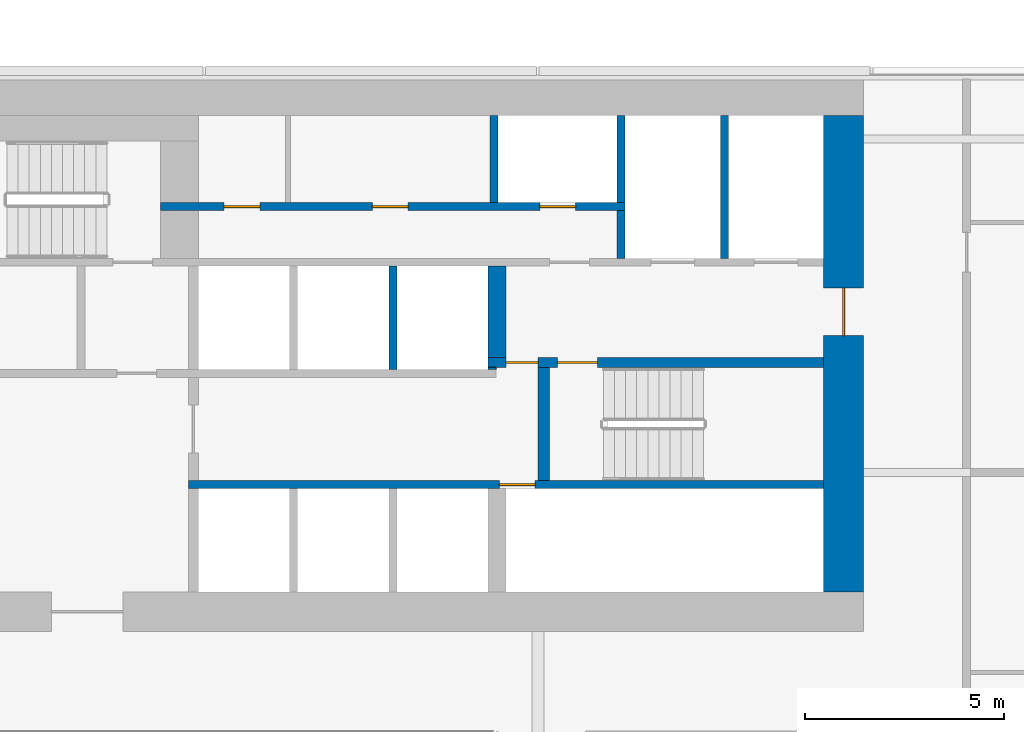
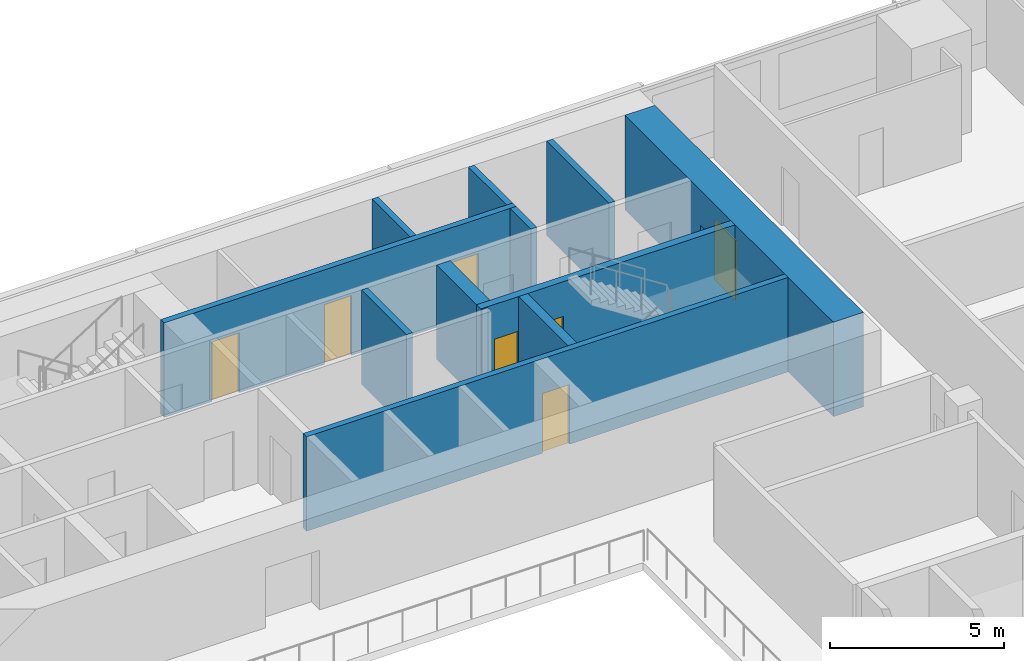
# One storey, part 22 of 29: 12 walls, 7 doors, 7 openings.
"""IFC4 building model written with IfcOpenShell, lengths in metres."""

from ifc_helpers import new_model, si_unit, direction, frame, frame_2d, origin, place, context, subcontext, project, spatial, rectangle, extrude, material, layer, layer_set, type_object, element, fill, save


model = new_model("IFC4")

# Units and contexts
model_context = context("Model", 3, precision=1e-05, world=origin(), true_north=direction((0.0, 1.0)))
body_context = subcontext(model_context, "Body", "Model", "MODEL_VIEW")
ifc_project = project(units=[si_unit("LENGTHUNIT", "METRE"), si_unit("AREAUNIT", "SQUARE_METRE"), si_unit("VOLUMEUNIT", "CUBIC_METRE"), si_unit("PLANEANGLEUNIT", "RADIAN"), si_unit("MASSUNIT", "GRAM", prefix="KILO")], contexts=[model_context])

# Site, building, storey
site_placement = place(None, origin())
site = spatial("IfcSite", under=ifc_project, at=site_placement, CompositionType="ELEMENT")
building_placement = place(site_placement, origin())
building = spatial("IfcBuilding", under=site, at=building_placement, Name="Saffron Gate Tower", CompositionType="ELEMENT")
storey_placement = place(building_placement, frame((0.0, 0.0, 106.050048828125)))
storey = spatial("IfcBuildingStorey", under=building, at=storey_placement, Name="L24", CompositionType="ELEMENT", Elevation=106.050048828125)

# Wall, opening, door
ifc_material_1 = material(Name="Concrete C70", Category="concrete")
ifc_layer_1 = layer(ifc_material_1, 1.0)
ifc_layer_set_1 = layer_set([ifc_layer_1], Name="CW12 RC core wall 1000 C70")
wall_type_1 = type_object("IfcWallType", Name="CW12 RC core wall 1000 C70", PredefinedType="SOLIDWALL", material=ifc_layer_set_1)
wall_1_placement = place(storey_placement, frame((107.89990234375, 62.39990234375, 0.0), z_axis=(0.0, 0.0, 1.0), x_axis=(0.0, 1.0, 0.0)))
wall_1 = element("IfcWall", 1, at=wall_1_placement, inside=storey, type_object=wall_type_1, Name="Wall CW12-L24-4", PredefinedType="SOLIDWALL", context=body_context, shape_type="SweptSolid", body=[
    extrude(rectangle(XDim=12.0, YDim=1.0, at=frame_2d((6.0, 0.0))), origin(), (0.0, 0.0, 1.0), 3.320068359375),
])
opening_1_placement = place(wall_1_placement, frame((6.449951171875, 0.0, 0.0)))
opening_1 = element("IfcOpeningElement", 2, at=opening_1_placement, cuts=wall_1, Name="Opening CR-08", PredefinedType="OPENING", context=body_context, shape_type="SweptSolid", body=[
    extrude(rectangle(XDim=1.199951171875, YDim=2.10009765625, at=frame_2d((0.60009765625, 1.050048828125))), frame((0.0, 0.510009765625, 0.0), z_axis=(0.0, -1.0, 0.0), x_axis=(1.0, 0.0, 0.0)), (0.0, 0.0, 1.0), 1.02001953125),
])
ifc_material_2 = material(Name="Steel fire door set", Category="steel")
door_type_1 = type_object("IfcDoorType", Name="CD7 Core entrance door 1200x2100 EI 120", OperationType="NOTDEFINED", PredefinedType="DOOR", material=ifc_material_2)
door_1_placement = place(opening_1_placement, origin())
door_1 = element("IfcDoor", 3, at=door_1_placement, inside=storey, type_object=door_type_1, Name="DOOR CR-08", OperationType="SINGLE_SWING_RIGHT", OverallHeight=2.10009765625, OverallWidth=1.199951171875, PredefinedType="DOOR", context=body_context, shape_type="SweptSolid", body=[
    extrude(rectangle(XDim=1.199951171875, YDim=2.10009765625, at=frame_2d((0.60009765625, 1.050048828125))), frame((0.0, 0.02490234375, 0.0), z_axis=(0.0, -1.0, 0.0), x_axis=(1.0, 0.0, 0.0)), (0.0, 0.0, 1.0), 0.050048828125),
])
fill(opening_1, door_1)

# Wall, openings, doors
ifc_layer_2 = layer(ifc_material_1, 0.25)
ifc_layer_set_2 = layer_set([ifc_layer_2], Name="CW2 RC core wall 250 C70")
wall_type_2 = type_object("IfcWallType", Name="CW2 RC core wall 250 C70", PredefinedType="SOLIDWALL", material=ifc_layer_set_2)
wall_2_placement = place(storey_placement, frame((98.949951171875, 68.175048828125, 0.0), z_axis=(0.0, 0.0, 1.0), x_axis=(1.0, 0.0, 0.0)))
wall_2 = element("IfcWall", 4, at=wall_2_placement, inside=storey, type_object=wall_type_2, Name="Wall CW2-L24-30", PredefinedType="SOLIDWALL", context=body_context, shape_type="SweptSolid", body=[
    extrude(rectangle(XDim=8.449951171875, YDim=0.25, at=frame_2d((4.22509765625, 0.0))), origin(), (0.0, 0.0, 1.0), 3.320068359375),
])
opening_2_placement = place(wall_2_placement, frame((0.449951171875, 0.0, 0.0)))
opening_2 = element("IfcOpeningElement", 5, at=opening_2_placement, cuts=wall_2, Name="Opening CR-05", PredefinedType="OPENING", context=body_context, shape_type="SweptSolid", body=[
    extrude(rectangle(XDim=0.800048828125, YDim=2.10009765625, at=frame_2d((0.39990234375, 1.050048828125))), frame((0.0, 0.135009765625, 0.0), z_axis=(0.0, -1.0, 0.0), x_axis=(1.0, 0.0, 0.0)), (0.0, 0.0, 1.0), 0.27001953125),
])
opening_3_placement = place(wall_2_placement, frame((1.75, 0.0, 0.0)))
opening_3 = element("IfcOpeningElement", 6, at=opening_3_placement, cuts=wall_2, Name="Opening CR-16", PredefinedType="OPENING", context=body_context, shape_type="SweptSolid", body=[
    extrude(rectangle(XDim=1.0, YDim=2.10009765625, at=frame_2d((0.5, 1.050048828125))), frame((0.0, 0.135009765625, 0.0), z_axis=(0.0, -1.0, 0.0), x_axis=(1.0, 0.0, 0.0)), (0.0, 0.0, 1.0), 0.27001953125),
])
door_type_2 = type_object("IfcDoorType", Name="CD5 Stair door 1000x2100 EI 120", OperationType="NOTDEFINED", PredefinedType="DOOR", material=ifc_material_2)
door_2_placement = place(opening_3_placement, origin())
door_2 = element("IfcDoor", 7, at=door_2_placement, inside=storey, type_object=door_type_2, Name="DOOR CR-16", OperationType="SINGLE_SWING_RIGHT", OverallHeight=2.10009765625, OverallWidth=1.0, PredefinedType="DOOR", context=body_context, shape_type="SweptSolid", body=[
    extrude(rectangle(XDim=1.0, YDim=2.10009765625, at=frame_2d((0.5, 1.050048828125))), frame((0.0, 0.02490234375, 0.0), z_axis=(0.0, -1.0, 0.0), x_axis=(1.0, 0.0, 0.0)), (0.0, 0.0, 1.0), 0.050048828125),
])
fill(opening_3, door_2)
door_type_3 = type_object("IfcDoorType", Name="CD6 Lobby door 800x2100 EI 120", OperationType="NOTDEFINED", PredefinedType="DOOR", material=ifc_material_2)
door_3_placement = place(opening_2_placement, origin())
door_3 = element("IfcDoor", 8, at=door_3_placement, inside=storey, type_object=door_type_3, Name="DOOR CR-05", OperationType="SINGLE_SWING_LEFT", OverallHeight=2.10009765625, OverallWidth=0.800048828125, PredefinedType="DOOR", context=body_context, shape_type="SweptSolid", body=[
    extrude(rectangle(XDim=0.800048828125, YDim=2.10009765625, at=frame_2d((0.39990234375, 1.050048828125))), frame((0.0, 0.02490234375, 0.0), z_axis=(0.0, -1.0, 0.0), x_axis=(1.0, 0.0, 0.0)), (0.0, 0.0, 1.0), 0.050048828125),
])
fill(opening_2, door_3)

# Wall, opening, door
ifc_layer_3 = layer(ifc_material_1, 0.199951171875)
ifc_layer_set_3 = layer_set([ifc_layer_3], Name="CW3 RC core wall 200 C70")
wall_type_3 = type_object("IfcWallType", Name="CW3 RC core wall 200 C70", PredefinedType="SOLIDWALL", material=ifc_layer_set_3)
wall_3_placement = place(storey_placement, frame((91.39990234375, 65.10009765625, 0.0), z_axis=(0.0, 0.0, 1.0), x_axis=(1.0, 0.0, 0.0)))
wall_3 = element("IfcWall", 9, at=wall_3_placement, inside=storey, type_object=wall_type_3, Name="Wall CW3-L24-15", PredefinedType="SOLIDWALL", context=body_context, shape_type="SweptSolid", body=[
    extrude(rectangle(XDim=16.0, YDim=0.199951171875, at=frame_2d((8.0, 0.0))), origin(), (0.0, 0.0, 1.0), 3.320068359375),
])
opening_4_placement = place(wall_3_placement, frame((7.830078125, 0.0, 0.0)))
opening_4 = element("IfcOpeningElement", 10, at=opening_4_placement, cuts=wall_3, Name="Opening CR-48", PredefinedType="OPENING", context=body_context, shape_type="SweptSolid", body=[
    extrude(rectangle(XDim=0.89990234375, YDim=2.10009765625, at=frame_2d((0.449951171875, 1.050048828125))), frame((0.0, 0.10986328125, 0.0), z_axis=(0.0, -1.0, 0.0), x_axis=(1.0, 0.0, 0.0)), (0.0, 0.0, 1.0), 0.219970703125),
])
door_type_4 = type_object("IfcDoorType", Name="CD2 Riser door 900x2100 EI 60", OperationType="NOTDEFINED", PredefinedType="DOOR", material=ifc_material_2)
door_4_placement = place(opening_4_placement, origin())
door_4 = element("IfcDoor", 11, at=door_4_placement, inside=storey, type_object=door_type_4, Name="DOOR CR-48", OperationType="SINGLE_SWING_RIGHT", OverallHeight=2.10009765625, OverallWidth=0.89990234375, PredefinedType="DOOR", context=body_context, shape_type="SweptSolid", body=[
    extrude(rectangle(XDim=0.89990234375, YDim=2.10009765625, at=frame_2d((0.449951171875, 1.050048828125))), frame((0.0, 0.02490234375, 0.0), z_axis=(0.0, -1.0, 0.0), x_axis=(1.0, 0.0, 0.0)), (0.0, 0.0, 1.0), 0.050048828125),
])
fill(opening_4, door_4)

# Walls
wall_4_placement = place(storey_placement, frame((96.550048828125, 68.0, 0.0), z_axis=(0.0, 0.0, 1.0), x_axis=(0.0, 1.0, 0.0)))
element("IfcWall", 12, at=wall_4_placement, inside=storey, type_object=wall_type_3, Name="Wall CW3-L24-27", PredefinedType="SOLIDWALL", context=body_context, shape_type="SweptSolid", body=[
    extrude(rectangle(XDim=2.60009765625, YDim=0.199951171875, at=frame_2d((1.300048828125, 0.0))), origin(), (0.0, 0.0, 1.0), 3.320068359375),
])
wall_5_placement = place(storey_placement, frame((102.300048828125, 70.800048828125, 0.0), z_axis=(0.0, 0.0, 1.0), x_axis=(0.0, 1.0, 0.0)))
element("IfcWall", 13, at=wall_5_placement, inside=storey, type_object=wall_type_3, Name="Wall CW3-L24-38", PredefinedType="SOLIDWALL", context=body_context, shape_type="SweptSolid", body=[
    extrude(rectangle(XDim=1.199951171875, YDim=0.199951171875, at=frame_2d((0.60009765625, 0.0))), origin(), (0.0, 0.0, 1.0), 3.320068359375),
])
wall_6_placement = place(storey_placement, frame((104.89990234375, 70.800048828125, 0.0), z_axis=(0.0, 0.0, 1.0), x_axis=(0.0, 1.0, 0.0)))
element("IfcWall", 14, at=wall_6_placement, inside=storey, type_object=wall_type_3, Name="Wall CW3-L24-39", PredefinedType="SOLIDWALL", context=body_context, shape_type="SweptSolid", body=[
    extrude(rectangle(XDim=3.599853515625, YDim=0.199951171875, at=frame_2d((1.7998046875, 0.0))), origin(), (0.0, 0.0, 1.0), 3.320068359375),
])

# Wall, openings, doors
wall_7_placement = place(storey_placement, frame((90.699951171875, 72.10009765625, 0.0), z_axis=(0.0, 0.0, 1.0), x_axis=(1.0, 0.0, 0.0)))
wall_7 = element("IfcWall", 15, at=wall_7_placement, inside=storey, type_object=wall_type_3, Name="Wall CW3-L24-41", PredefinedType="SOLIDWALL", context=body_context, shape_type="SweptSolid", body=[
    extrude(rectangle(XDim=11.699951171875, YDim=0.199951171875, at=frame_2d((5.85009765625, 0.0))), origin(), (0.0, 0.0, 1.0), 3.320068359375),
])
opening_5_placement = place(wall_7_placement, frame((1.60009765625, 0.0, 0.0)))
opening_5 = element("IfcOpeningElement", 16, at=opening_5_placement, cuts=wall_7, Name="Opening CR-50", PredefinedType="OPENING", context=body_context, shape_type="SweptSolid", body=[
    extrude(rectangle(XDim=0.89990234375, YDim=2.10009765625, at=frame_2d((0.449951171875, 1.050048828125))), frame((0.0, 0.10986328125, 0.0), z_axis=(0.0, -1.0, 0.0), x_axis=(1.0, 0.0, 0.0)), (0.0, 0.0, 1.0), 0.219970703125),
])
opening_6_placement = place(wall_7_placement, frame((5.3349609375, 0.0, 0.0)))
opening_6 = element("IfcOpeningElement", 17, at=opening_6_placement, cuts=wall_7, Name="Opening CR-53", PredefinedType="OPENING", context=body_context, shape_type="SweptSolid", body=[
    extrude(rectangle(XDim=0.89990234375, YDim=2.10009765625, at=frame_2d((0.449951171875, 1.050048828125))), frame((0.0, 0.10986328125, 0.0), z_axis=(0.0, -1.0, 0.0), x_axis=(1.0, 0.0, 0.0)), (0.0, 0.0, 1.0), 0.219970703125),
])
opening_7_placement = place(wall_7_placement, frame((9.550048828125, 0.0, 0.0)))
opening_7 = element("IfcOpeningElement", 18, at=opening_7_placement, cuts=wall_7, Name="Opening CR-70", PredefinedType="OPENING", context=body_context, shape_type="SweptSolid", body=[
    extrude(rectangle(XDim=0.89990234375, YDim=2.10009765625, at=frame_2d((0.449951171875, 1.050048828125))), frame((0.0, 0.10986328125, 0.0), z_axis=(0.0, -1.0, 0.0), x_axis=(1.0, 0.0, 0.0)), (0.0, 0.0, 1.0), 0.219970703125),
])
door_5_placement = place(opening_7_placement, origin())
door_5 = element("IfcDoor", 19, at=door_5_placement, inside=storey, type_object=door_type_4, Name="DOOR CR-70", OperationType="SINGLE_SWING_LEFT", OverallHeight=2.10009765625, OverallWidth=0.89990234375, PredefinedType="DOOR", context=body_context, shape_type="SweptSolid", body=[
    extrude(rectangle(XDim=0.89990234375, YDim=2.10009765625, at=frame_2d((0.449951171875, 1.050048828125))), frame((0.0, 0.02490234375, 0.0), z_axis=(0.0, -1.0, 0.0), x_axis=(1.0, 0.0, 0.0)), (0.0, 0.0, 1.0), 0.050048828125),
])
fill(opening_7, door_5)
door_type_5 = type_object("IfcDoorType", Name="CD9 Room door 900x2100 EI 60", OperationType="NOTDEFINED", PredefinedType="DOOR", material=ifc_material_2)
door_6_placement = place(opening_5_placement, origin())
door_6 = element("IfcDoor", 20, at=door_6_placement, inside=storey, type_object=door_type_5, Name="DOOR CR-50", OperationType="SINGLE_SWING_LEFT", OverallHeight=2.10009765625, OverallWidth=0.89990234375, PredefinedType="DOOR", context=body_context, shape_type="SweptSolid", body=[
    extrude(rectangle(XDim=0.89990234375, YDim=2.10009765625, at=frame_2d((0.449951171875, 1.050048828125))), frame((0.0, 0.02490234375, 0.0), z_axis=(0.0, -1.0, 0.0), x_axis=(1.0, 0.0, 0.0)), (0.0, 0.0, 1.0), 0.050048828125),
])
fill(opening_5, door_6)
door_7_placement = place(opening_6_placement, origin())
door_7 = element("IfcDoor", 21, at=door_7_placement, inside=storey, type_object=door_type_5, Name="DOOR CR-53", OperationType="SINGLE_SWING_LEFT", OverallHeight=2.10009765625, OverallWidth=0.89990234375, PredefinedType="DOOR", context=body_context, shape_type="SweptSolid", body=[
    extrude(rectangle(XDim=0.89990234375, YDim=2.10009765625, at=frame_2d((0.449951171875, 1.050048828125))), frame((0.0, 0.02490234375, 0.0), z_axis=(0.0, -1.0, 0.0), x_axis=(1.0, 0.0, 0.0)), (0.0, 0.0, 1.0), 0.050048828125),
])
fill(opening_6, door_7)

# Walls
for number, where, z_axis, x_axis, name in (
    (22, (99.10009765625, 72.199951171875, 0.0), (0.0, 0.0, 1.0), (0.0, 1.0, 0.0), "Wall CW3-L24-49"),
    (23, (102.300048828125, 72.199951171875, 0.0), (0.0, 0.0, 1.0), (0.0, 1.0, 0.0), "Wall CW3-L24-50"),
):
    element("IfcWall", number, at=place(storey_placement, frame(where, z_axis=z_axis, x_axis=x_axis)), inside=storey, type_object=wall_type_3, Name=name, PredefinedType="SOLIDWALL", context=body_context, shape_type="SweptSolid", body=[
        extrude(rectangle(XDim=2.199951171875, YDim=0.199951171875, at=frame_2d((1.10009765625, 0.0))), origin(), (0.0, 0.0, 1.0), 3.320068359375),
    ])
ifc_layer_4 = layer(ifc_material_1, 0.449951171875)
ifc_layer_set_4 = layer_set([ifc_layer_4], Name="CW4 RC core wall 450 C70")
wall_type_4 = type_object("IfcWallType", Name="CW4 RC core wall 450 C70", PredefinedType="SOLIDWALL", material=ifc_layer_set_4)
wall_8_placement = place(storey_placement, frame((99.175048828125, 68.300048828125, 0.0), z_axis=(0.0, 0.0, 1.0), x_axis=(0.0, 1.0, 0.0)))
element("IfcWall", 24, at=wall_8_placement, inside=storey, type_object=wall_type_4, Name="Wall CW4-L24-32", PredefinedType="SOLIDWALL", context=body_context, shape_type="SweptSolid", body=[
    extrude(rectangle(XDim=2.300048828125, YDim=0.449951171875, at=frame_2d((1.14990234375, 0.0))), origin(), (0.0, 0.0, 1.0), 3.320068359375),
])
ifc_layer_5 = layer(ifc_material_1, 0.300048828125)
ifc_layer_set_5 = layer_set([ifc_layer_5], Name="CW5 RC core wall 300 C70")
wall_type_5 = type_object("IfcWallType", Name="CW5 RC core wall 300 C70", PredefinedType="SOLIDWALL", material=ifc_layer_set_5)
wall_9_placement = place(storey_placement, frame((100.35009765625, 65.199951171875, 0.0), z_axis=(0.0, 0.0, 1.0), x_axis=(0.0, 1.0, 0.0)))
element("IfcWall", 25, at=wall_9_placement, inside=storey, type_object=wall_type_5, Name="Wall CW5-L24-19", PredefinedType="SOLIDWALL", context=body_context, shape_type="SweptSolid", body=[
    extrude(rectangle(XDim=2.85009765625, YDim=0.300048828125, at=frame_2d((1.425048828125, 0.0))), origin(), (0.0, 0.0, 1.0), 3.320068359375),
])
ifc_layer_6 = layer(ifc_material_1, 0.050048828125)
ifc_layer_set_6 = layer_set([ifc_layer_6], Name="CW6 RC core wall 50 C70")
wall_type_6 = type_object("IfcWallType", Name="CW6 RC core wall 50 C70", PredefinedType="SOLIDWALL", material=ifc_layer_set_6)
wall_10_placement = place(storey_placement, frame((98.949951171875, 68.02490234375, 0.0), z_axis=(0.0, 0.0, 1.0), x_axis=(1.0, 0.0, 0.0)))
element("IfcWall", 26, at=wall_10_placement, inside=storey, type_object=wall_type_6, Name="Wall CW6-L24-28", PredefinedType="SOLIDWALL", context=body_context, shape_type="SweptSolid", body=[
    extrude(rectangle(XDim=0.199951171875, YDim=0.050048828125, at=frame_2d((0.10009765625, 0.0))), origin(), (0.0, 0.0, 1.0), 3.320068359375),
])

save(model, "model.ifc")
